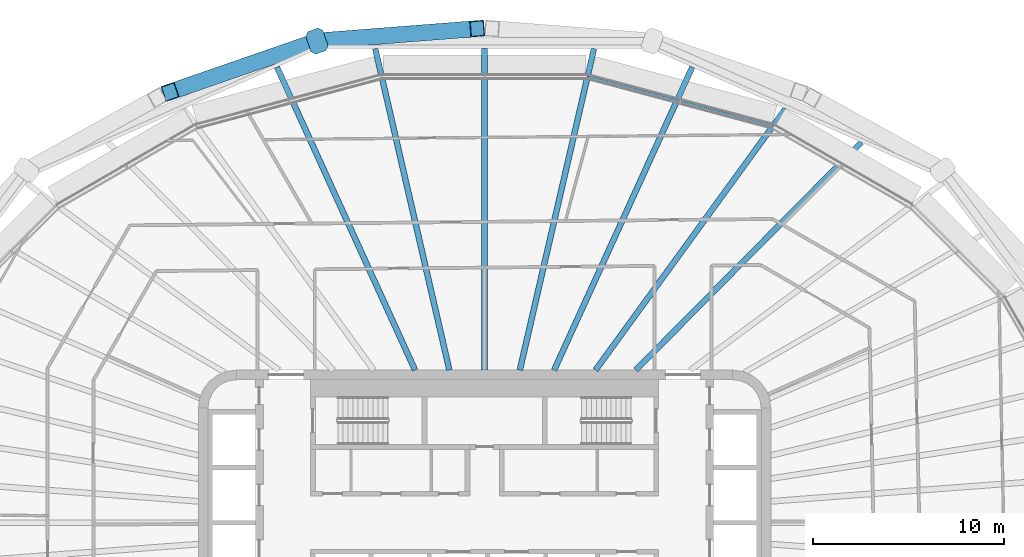
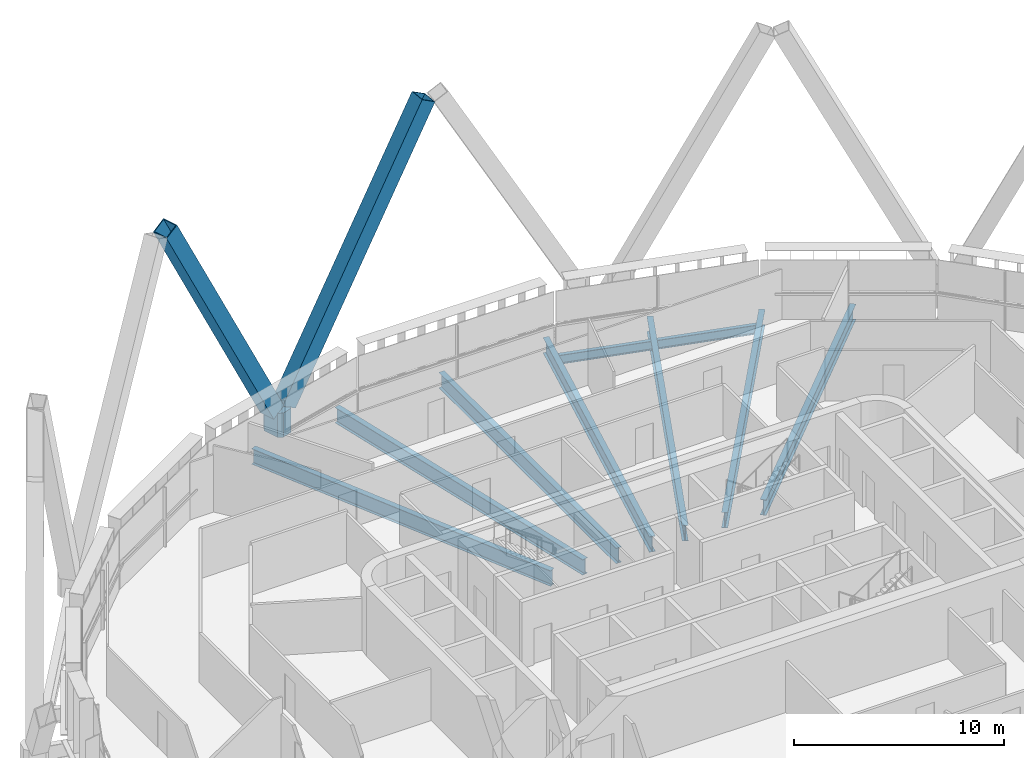
# One storey, part 8 of 25: 8 beams, 3 members.
"""IFC4 building model written with IfcOpenShell, lengths in metres."""

from ifc_helpers import new_model, si_unit, direction, frame, origin, origin_2d, place, context, subcontext, project, spatial, polyline, hollow_rectangle, i_section, outline, extrude, material, material_profile, profile_set, type_object, element, save


model = new_model("IFC4")

# Units and contexts
model_context = context("Model", 3, precision=1e-05, world=origin(), true_north=direction((0.0, 1.0)))
body_context = subcontext(model_context, "Body", "Model", "MODEL_VIEW")
ifc_project = project(units=[si_unit("LENGTHUNIT", "METRE"), si_unit("AREAUNIT", "SQUARE_METRE"), si_unit("VOLUMEUNIT", "CUBIC_METRE"), si_unit("PLANEANGLEUNIT", "RADIAN"), si_unit("MASSUNIT", "GRAM", prefix="KILO")], contexts=[model_context])

# Site, building, storey
site_placement = place(None, origin())
site = spatial("IfcSite", under=ifc_project, at=site_placement, CompositionType="ELEMENT")
building_placement = place(site_placement, origin())
building = spatial("IfcBuilding", under=site, at=building_placement, Name="Sahrelin Media Tower", CompositionType="ELEMENT")
storey_placement = place(building_placement, frame((0.0, 0.0, 165.60009765625)))
storey = spatial("IfcBuildingStorey", under=building, at=storey_placement, Name="L34", CompositionType="ELEMENT", Elevation=165.60009765625)

# Members
ifc_material_1 = material(Name="Steel S460", Category="steel")
ifc_material_profile_1 = material_profile(ifc_material_1, hollow_rectangle(XDim=0.85009765625, YDim=0.85009765625, WallThickness=0.044921875, at=origin_2d()), Name="Diagrid diagonal DG4")
ifc_profile_set_1 = profile_set([ifc_material_profile_1], Name="Steel S460")
member_type_1 = type_object("IfcMemberType", Name="Diagrid diagonal DG4", PredefinedType="BRACE", material=ifc_profile_set_1)
member_1_placement = place(storey_placement, frame((-8.40283203125, 25.27197265625, 0.699951171875), z_axis=(0.481047433854, 0.037364187308, 0.875897987148), x_axis=(-0.077439317921, 0.996997067217, 0.0)))
element("IfcMember", 1, at=member_1_placement, inside=storey, type_object=member_type_1, Name="Diagrid diagonal D07-06", PredefinedType="BRACE", context=body_context, shape_type="SweptSolid", body=[
    extrude(hollow_rectangle(XDim=0.85009765625, YDim=0.85009765625, WallThickness=0.044921875, at=origin_2d()), origin(), (0.0, 0.0, 1.0), 16.66845703125),
])
member_2_placement = place(storey_placement, frame((-9.1396484375, 25.119873046875, 0.699951171875), z_axis=(-0.444249125914, -0.153932373784, 0.882580046469), x_axis=(0.327402724383, -0.944884890379, 0.0)))
element("IfcMember", 2, at=member_2_placement, inside=storey, type_object=member_type_1, Name="Diagrid diagonal D07-07", PredefinedType="BRACE", context=body_context, shape_type="SweptSolid", body=[
    extrude(hollow_rectangle(XDim=0.85009765625, YDim=0.85009765625, WallThickness=0.044921875, at=origin_2d()), origin(), (0.0, 0.0, 1.0), 16.542236328125),
])
ifc_material_profile_2 = material_profile(ifc_material_1, outline(polyline([(0.425048828125, -0.47509765625), (0.625, -0.27490234375), (0.625, 0.27490234375), (0.425048828125, 0.47509765625), (-0.425048828125, 0.47509765625), (-0.625, 0.27490234375), (-0.625, -0.27490234375), (-0.425048828125, -0.47509765625), (0.425048828125, -0.47509765625)])), Name="Diagrid node block 1250")
ifc_profile_set_2 = profile_set([ifc_material_profile_2], Name="Steel S460")
member_type_2 = type_object("IfcMemberType", Name="Diagrid node block 1250", PredefinedType="USERDEFINED", material=ifc_profile_set_2)
member_3_placement = place(storey_placement, frame((-8.787353515625, 25.241943359375, -0.7001953125), z_axis=(0.0, 0.0, 1.0), x_axis=(-0.328769398381, 0.944410230085, 0.0)))
element("IfcMember", 3, at=member_3_placement, inside=storey, type_object=member_type_2, Name="Diagrid node N07-03", ObjectType="NODE", PredefinedType="USERDEFINED", context=body_context, shape_type="SweptSolid", body=[
    extrude(outline(polyline([(0.425048828125, -0.47509765625), (0.625, -0.27490234375), (0.625, 0.27490234375), (0.425048828125, 0.47509765625), (-0.425048828125, 0.47509765625), (-0.625, 0.27490234375), (-0.625, -0.27490234375), (-0.425048828125, -0.47509765625), (0.425048828125, -0.47509765625)])), origin(), (0.0, 0.0, 1.0), 1.400146484375),
])

# Beams
ifc_material_2 = material(Name="Steel S355", Category="steel")
ifc_material_profile_3 = material_profile(ifc_material_2, i_section(OverallWidth=0.208740234375, OverallDepth=0.5283203125, WebThickness=0.009521484375, FlangeThickness=0.01318359375, FilletRadius=0.0126953125, at=origin_2d()), Name="UB 533x210x82")
ifc_profile_set_3 = profile_set([ifc_material_profile_3], Name="Steel S355")
beam_type_1 = type_object("IfcBeamType", Name="Edge beam EB6", PredefinedType="BEAM", material=ifc_profile_set_3)
beam_1_placement = place(storey_placement, frame((5.4111328125, 23.326904296875, -0.414306640625), z_axis=(0.965927393015, -0.258813197932, 0.0), x_axis=(0.258813197932, 0.965927393015, 0.0)))
element("IfcBeam", 4, at=beam_1_placement, inside=storey, type_object=beam_type_1, Name="Edge beam L34-20", PredefinedType="BEAM", context=body_context, shape_type="SweptSolid", body=[
    extrude(i_section(OverallWidth=0.208740234375, OverallDepth=0.5283203125, WebThickness=0.009521484375, FlangeThickness=0.01318359375, FilletRadius=0.0126953125, at=origin_2d()), origin(), (0.0, 0.0, 1.0), 10.022705078125),
])
ifc_material_profile_4 = material_profile(ifc_material_2, i_section(OverallWidth=0.30322265625, OverallDepth=0.903076171875, WebThickness=0.01513671875, FlangeThickness=0.020263671875, FilletRadius=0.01904296875, at=origin_2d()), Name="UB 914x305x201")
ifc_profile_set_4 = profile_set([ifc_material_profile_4], Name="Steel S355")
beam_type_2 = type_object("IfcBeamType", Name="Radial primary beam PB11", PredefinedType="BEAM", material=ifc_profile_set_4)
beam_2_placement = place(storey_placement, frame((5.813232421875, 8.0, -0.6015625), z_axis=(0.587842616911, 0.808975313432, 0.0), x_axis=(-0.808975313432, 0.587842616911, 0.0)))
element("IfcBeam", 5, at=beam_2_placement, inside=storey, type_object=beam_type_2, Name="Radial beam L34-05", PredefinedType="BEAM", context=body_context, shape_type="SweptSolid", body=[
    extrude(i_section(OverallWidth=0.30322265625, OverallDepth=0.903076171875, WebThickness=0.01513671875, FlangeThickness=0.020263671875, FilletRadius=0.01904296875, at=origin_2d()), origin(), (0.0, 0.0, 1.0), 16.941650390625),
])
for number, where, z_axis, x_axis, name in (
    (6, (1.845458984375, 8.0, -0.6015625), (0.224792471001, 0.974406663042, 0.0), (-0.974406663042, 0.224792471001, 0.0), "Radial beam L34-06"),
    (7, (-1.845458984375, 8.0, -0.6015625), (-0.224792471001, 0.974406663042, 0.0), (-0.974406663042, -0.224792471001, 0.0), "Radial beam L34-07"),
):
    element("IfcBeam", number, at=place(storey_placement, frame(where, z_axis=z_axis, x_axis=x_axis)), inside=storey, type_object=beam_type_2, Name=name, PredefinedType="BEAM", context=body_context, shape_type="SweptSolid", body=[
        extrude(i_section(OverallWidth=0.30322265625, OverallDepth=0.903076171875, WebThickness=0.01513671875, FlangeThickness=0.020263671875, FilletRadius=0.01904296875, at=origin_2d()), origin(), (0.0, 0.0, 1.0), 17.2890625),
    ])
ifc_material_profile_5 = material_profile(ifc_material_2, i_section(OverallWidth=0.30322265625, OverallDepth=0.903076171875, WebThickness=0.01513671875, FlangeThickness=0.020263671875, FilletRadius=0.01904296875, at=origin_2d()), Name="UB 914x305x201")
ifc_profile_set_5 = profile_set([ifc_material_profile_5], Name="Steel S355")
beam_type_3 = type_object("IfcBeamType", Name="Radial secondary beam SB11", PredefinedType="BEAM", material=ifc_profile_set_5)
beam_3_placement = place(storey_placement, frame((7.922119140625, 8.0, -0.6015625), z_axis=(0.703633012288, 0.710563567894, 0.0), x_axis=(-0.710563567894, 0.703633012288, 0.0)))
element("IfcBeam", 8, at=beam_3_placement, inside=storey, type_object=beam_type_3, Name="Secondary beam L34-04", PredefinedType="BEAM", context=body_context, shape_type="SweptSolid", body=[
    extrude(i_section(OverallWidth=0.30322265625, OverallDepth=0.903076171875, WebThickness=0.01513671875, FlangeThickness=0.020263671875, FilletRadius=0.01904296875, at=origin_2d()), origin(), (0.0, 0.0, 1.0), 16.80322265625),
])
beam_4_placement = place(storey_placement, frame((3.645263671875, 8.0, -0.6015625), z_axis=(0.414653440066, 0.909979408911, 0.0), x_axis=(-0.909979408911, 0.414653440066, 0.0)))
element("IfcBeam", 9, at=beam_4_placement, inside=storey, type_object=beam_type_3, Name="Secondary beam L34-05", PredefinedType="BEAM", context=body_context, shape_type="SweptSolid", body=[
    extrude(i_section(OverallWidth=0.30322265625, OverallDepth=0.903076171875, WebThickness=0.01513671875, FlangeThickness=0.020263671875, FilletRadius=0.01904296875, at=origin_2d()), origin(), (0.0, 0.0, 1.0), 17.44970703125),
])
beam_5_placement = place(storey_placement, frame((0.0, 8.0, -0.6015625), z_axis=(0.0, 1.0, 0.0), x_axis=(-1.0, 0.0, 0.0)))
element("IfcBeam", 10, at=beam_5_placement, inside=storey, type_object=beam_type_3, Name="Secondary beam L34-06", PredefinedType="BEAM", context=body_context, shape_type="SweptSolid", body=[
    extrude(i_section(OverallWidth=0.30322265625, OverallDepth=0.903076171875, WebThickness=0.01513671875, FlangeThickness=0.020263671875, FilletRadius=0.01904296875, at=origin_2d()), origin(), (0.0, 0.0, 1.0), 16.8466796875),
])
beam_6_placement = place(storey_placement, frame((-3.645263671875, 8.0, -0.6015625), z_axis=(-0.414653440066, 0.909979408911, 0.0), x_axis=(-0.909979408911, -0.414653440066, 0.0)))
element("IfcBeam", 11, at=beam_6_placement, inside=storey, type_object=beam_type_3, Name="Secondary beam L34-07", PredefinedType="BEAM", context=body_context, shape_type="SweptSolid", body=[
    extrude(i_section(OverallWidth=0.30322265625, OverallDepth=0.903076171875, WebThickness=0.01513671875, FlangeThickness=0.020263671875, FilletRadius=0.01904296875, at=origin_2d()), origin(), (0.0, 0.0, 1.0), 17.44970703125),
])

save(model, "model.ifc")
